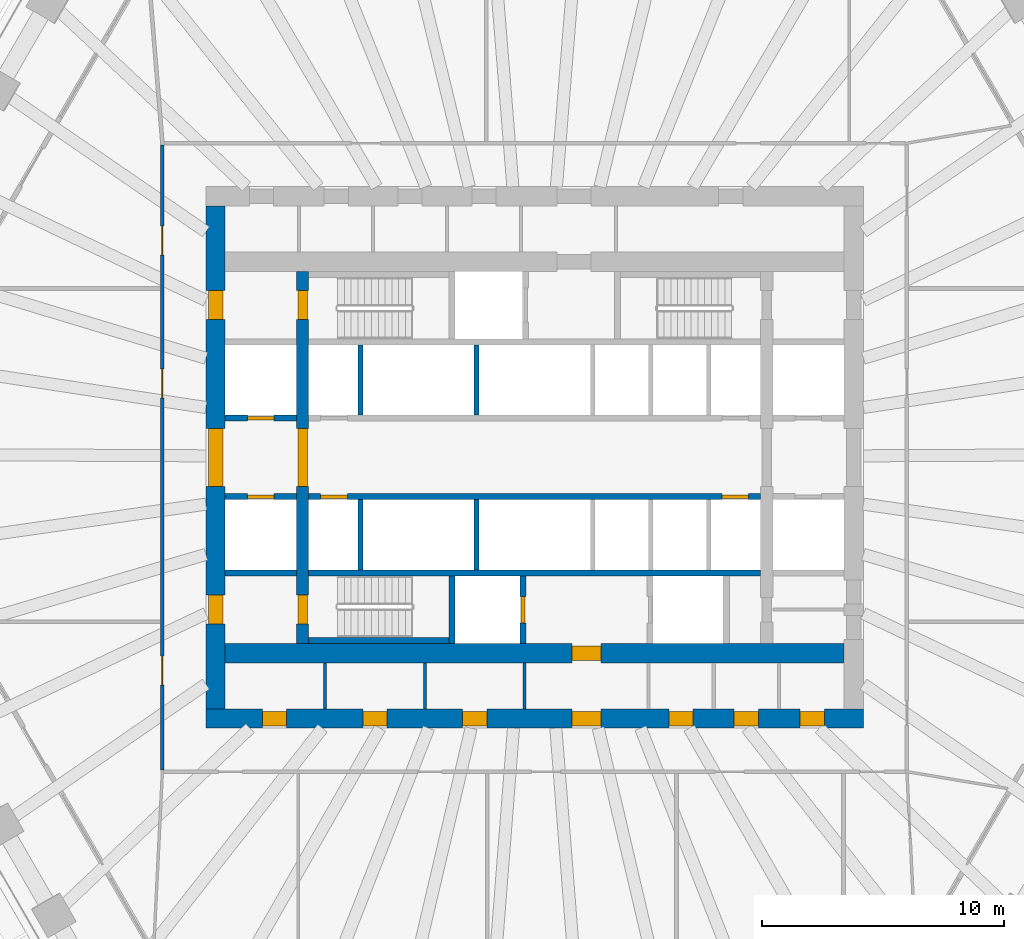
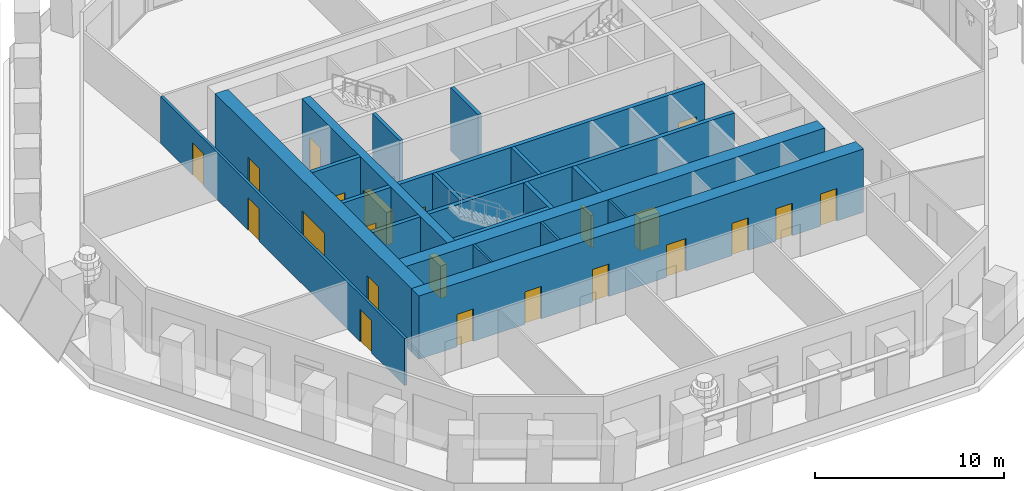
# One storey, part 4 of 12: 22 doors, 20 walls, 22 openings.
"""IFC4 building model written with IfcOpenShell, lengths in metres."""

import ifcopenshell
import ifcopenshell.guid

model = None  # the IFC model being written
_history = None  # IfcOwnerHistory: only IFC2X3 demands one
_inside = {}  # id of a spatial element -> (the spatial element, [elements in it])
_under = {}  # id of a project, library or spatial element -> (it, [spatial elements below it])
_declared = {}  # id of a project -> (the project, [libraries it declares])
_typed = {}  # id of a type object -> (the type object, [elements of that type])
_made_of = {}  # id of a material, layer set ... -> (it, [elements and type objects made of it])


def new_model(schema):
    """Start an empty IFC model of exactly this schema.

    Asked for "IFC4X3", IfcOpenShell would pick the latest addendum, in which some entities
    have other attributes; the version numbers below select the first issue.
    IFC2X3 requires an IfcOwnerHistory on every rooted entity: one is made here for all.
    """
    global model, _history
    if schema == "IFC4X3":
        model = ifcopenshell.file(schema_version=(4, 3, 0, 0))
    else:
        model = ifcopenshell.file(schema=schema)
    _inside.clear()
    _under.clear()
    _declared.clear()
    _typed.clear()
    _made_of.clear()
    _history = None
    if model.schema == "IFC2X3":
        org = make("IfcOrganization", Name="unknown")
        user = make(
            "IfcPersonAndOrganization",
            ThePerson=make("IfcPerson", FamilyName="unknown"),
            TheOrganization=org,
        )
        app = make(
            "IfcApplication",
            ApplicationDeveloper=org,
            Version="unknown",
            ApplicationFullName="unknown",
            ApplicationIdentifier="unknown",
        )
        _history = make(
            "IfcOwnerHistory",
            OwningUser=user,
            OwningApplication=app,
            ChangeAction="ADDED",
            CreationDate=0,
        )
    return model


def make(cls, **values):
    """One entity of the class cls with the attributes given. An attribute that is None is left unset."""
    return model.create_entity(
        cls, **{name: value for name, value in values.items() if value is not None}
    )


def rooted(cls, **values):
    """An entity with a GlobalId (a new one), such as an element, a storey or a relation."""
    return make(cls, GlobalId=ifcopenshell.guid.new(), OwnerHistory=_history, **values)


def si_unit(unit_type, name, prefix=None):
    """IfcSIUnit, for example si_unit("LENGTHUNIT", "METRE", prefix="MILLI")."""
    return make("IfcSIUnit", UnitType=unit_type, Prefix=prefix, Name=name)


def assignment(units):
    """IfcUnitAssignment: the units of a project."""
    return None if units is None else make("IfcUnitAssignment", Units=units)


def point(xyz):
    """IfcCartesianPoint."""
    return None if xyz is None else make("IfcCartesianPoint", Coordinates=xyz)


def direction(xyz):
    """IfcDirection."""
    return None if xyz is None else make("IfcDirection", DirectionRatios=xyz)


def frame(location, z_axis=None, x_axis=None):
    """IfcAxis2Placement3D, a coordinate frame: its origin and axes. An axis left out is left unset."""
    return make(
        "IfcAxis2Placement3D",
        Location=point(location),
        Axis=direction(z_axis),
        RefDirection=direction(x_axis),
    )


def frame_2d(location, x_axis=None):
    """IfcAxis2Placement2D, a coordinate frame in the plane: its origin and x axis."""
    return make(
        "IfcAxis2Placement2D", Location=point(location), RefDirection=direction(x_axis)
    )


def origin():
    """The frame at (0, 0, 0) with its axes left unset."""
    return frame((0.0, 0.0, 0.0))


def place(relative_to, where):
    """IfcLocalPlacement: puts the frame where relative to a parent placement (None: the world)."""
    return make(
        "IfcLocalPlacement", PlacementRelTo=relative_to, RelativePlacement=where
    )


def context(
    kind, dimensions, precision=None, world=None, true_north=None, identifier=None
):
    """IfcGeometricRepresentationContext, for example the 3D "Model" context."""
    return make(
        "IfcGeometricRepresentationContext",
        ContextIdentifier=identifier,
        ContextType=kind,
        CoordinateSpaceDimension=dimensions,
        Precision=precision,
        WorldCoordinateSystem=world,
        TrueNorth=true_north,
    )


def subcontext(parent, identifier, kind, view, scale=None):
    """IfcGeometricRepresentationSubContext, for example "Body" below "Model"."""
    return make(
        "IfcGeometricRepresentationSubContext",
        ContextIdentifier=identifier,
        ContextType=kind,
        ParentContext=parent,
        TargetScale=scale,
        TargetView=view,
    )


def project(units=None, contexts=None):
    """IfcProject with its units and contexts."""
    return rooted(
        "IfcProject",
        Name="project",
        RepresentationContexts=contexts,
        UnitsInContext=assignment(units),
    )


def spatial(cls, under=None, at=None, **own):
    """A site, building, storey or space (cls), placed at a placement, below another one or the project."""
    s = rooted(cls, ObjectPlacement=at, **own)
    if under is not None:
        _under.setdefault(under.id(), (under, []))[1].append(s)
    return s


def profile(cls, at=None, kind="AREA", **sizes):
    """A parametric profile (cls). Its sizes go by their IFC names, for example OverallWidth=200.0."""
    return make(cls, ProfileType=kind, Position=at, **sizes)


def rectangle(**sizes):
    """IfcRectangleProfileDef."""
    return profile("IfcRectangleProfileDef", **sizes)


def extrude(swept, where, along, depth):
    """IfcExtrudedAreaSolid: the profile swept, set in the frame where, extruded along a direction by depth."""
    return make(
        "IfcExtrudedAreaSolid",
        SweptArea=swept,
        Position=where,
        ExtrudedDirection=direction(along),
        Depth=depth,
    )


def shape(context_of_items, identifier, shape_type, items):
    """IfcShapeRepresentation: the items that make up one representation, for example the "Body"."""
    return make(
        "IfcShapeRepresentation",
        ContextOfItems=context_of_items,
        RepresentationIdentifier=identifier,
        RepresentationType=shape_type,
        Items=items,
    )


def material(Name=None, Category=None):
    """IfcMaterial."""
    return make("IfcMaterial", Name=Name, Category=Category)


def layer(
    of_material, thickness, ventilated=None, Name=None, Category=None, Priority=None
):
    """IfcMaterialLayer: one layer of a wall or slab, of a material (None: an air gap)."""
    return make(
        "IfcMaterialLayer",
        Material=of_material,
        LayerThickness=thickness,
        IsVentilated=ventilated,
        Name=Name,
        Category=Category,
        Priority=Priority,
    )


def layer_set(layers, Name=None):
    """IfcMaterialLayerSet."""
    return make("IfcMaterialLayerSet", MaterialLayers=layers, LayerSetName=Name)


def made_of(thing, what):
    """Note that an element or type object is made of a material, layer set ...; save() writes the relation."""
    if what is not None:
        _made_of.setdefault(what.id(), (what, []))[1].append(thing)
    return thing


def type_object(cls, material=None, **own):
    """A type object (cls), such as IfcWallType, which elements share."""
    return made_of(rooted(cls, **own), material)


def element(
    cls,
    number,
    at=None,
    inside=None,
    cuts=None,
    type_object=None,
    material=None,
    context=None,
    identifier="Body",
    shape_type=None,
    held_by="IfcProductDefinitionShape",
    body=None,
    shapes=None,
    **own,
):
    """One element of the class cls, such as IfcWall. Its Tag is "e" and its number.

    at: its placement. inside: the storey or other place that contains it. cuts: it is an
    opening in that element (IfcRelVoidsElement). A single representation is given by context,
    identifier, shape_type and body (its items); several are given by shapes. held_by: the class
    of the entity that holds the representations. save() writes the other relations.
    """
    e = rooted(cls, Tag="e%d" % number, ObjectPlacement=at, **own)
    if body is not None:
        shapes = [shape(context, identifier, shape_type, body)]
    if shapes is not None:
        e.Representation = make(held_by, Representations=shapes)
    if inside is not None:
        _inside.setdefault(inside.id(), (inside, []))[1].append(e)
    if cuts is not None:
        rooted(
            "IfcRelVoidsElement", RelatingBuildingElement=cuts, RelatedOpeningElement=e
        )
    if type_object is not None:
        _typed.setdefault(type_object.id(), (type_object, []))[1].append(e)
    return made_of(e, material)


def fill(opening, filler):
    """IfcRelFillsElement: the door or window that sits in an opening."""
    return rooted(
        "IfcRelFillsElement",
        RelatingOpeningElement=opening,
        RelatedBuildingElement=filler,
    )


def aggregate(whole, parts):
    """IfcRelAggregates: a whole, such as a stair, and the parts it consists of."""
    return rooted("IfcRelAggregates", RelatingObject=whole, RelatedObjects=parts)


def save(model, path):
    """Write the relations noted so far, then the file.

    IfcRelAggregates (storeys below a building ...), IfcRelContainedInSpatialStructure (elements
    in a storey), IfcRelDefinesByType, IfcRelAssociatesMaterial and IfcRelDeclares: one each for
    every whole, place, type object, material and project.
    """
    for whole, parts in _under.values():
        aggregate(whole, parts)
    for where, things in _inside.values():
        rooted(
            "IfcRelContainedInSpatialStructure",
            RelatedElements=things,
            RelatingStructure=where,
        )
    for kind, things in _typed.values():
        rooted("IfcRelDefinesByType", RelatedObjects=things, RelatingType=kind)
    for what, things in _made_of.values():
        rooted("IfcRelAssociatesMaterial", RelatedObjects=things, RelatingMaterial=what)
    for by, libraries in _declared.values():
        rooted("IfcRelDeclares", RelatingContext=by, RelatedDefinitions=libraries)
    model.write(path)


model = new_model("IFC4")

# Units and contexts
model_context = context("Model", 3, precision=1e-05, world=origin(), true_north=direction((0.0, 1.0)))
body_context = subcontext(model_context, "Body", "Model", "MODEL_VIEW")
ifc_project = project(units=[si_unit("LENGTHUNIT", "METRE"), si_unit("AREAUNIT", "SQUARE_METRE"), si_unit("VOLUMEUNIT", "CUBIC_METRE"), si_unit("PLANEANGLEUNIT", "RADIAN"), si_unit("MASSUNIT", "GRAM", prefix="KILO")], contexts=[model_context])

# Site, building, storey
site_placement = place(None, origin())
site = spatial("IfcSite", under=ifc_project, at=site_placement, CompositionType="ELEMENT")
building_placement = place(site_placement, origin())
building = spatial("IfcBuilding", under=site, at=building_placement, Name="Frailejon Research Tower", CompositionType="ELEMENT")
storey_placement = place(building_placement, frame((0.0, 0.0, 85.199951171875)))
storey = spatial("IfcBuildingStorey", under=building, at=storey_placement, Name="L18", CompositionType="ELEMENT", Elevation=85.199951171875)

# Walls
ifc_material_1 = material(Name="Plasterboard on steel studs", Category="steel")
ifc_layer_1 = layer(ifc_material_1, 0.125)
ifc_layer_set_1 = layer_set([ifc_layer_1], Name="Core partition 125")
wall_type_1 = type_object("IfcWallType", Name="Core partition 125", PredefinedType="PARTITIONING", material=ifc_layer_set_1)
for number, where, z_axis, x_axis, name in (
    (1, (-8.6708984375, -10.39990234375, 0.0), (0.0, 0.0, 1.0), (0.0, 1.0, 0.0), "Core partition"),
    (2, (-4.541748046875, -10.39990234375, 0.0), (0.0, 0.0, 1.0), (0.0, 1.0, 0.0), "Core partition"),
    (3, (-0.41259765625, -10.39990234375, 0.0), (0.0, 0.0, 1.0), (0.0, 1.0, 0.0), "Core partition"),
):
    element("IfcWall", number, at=place(storey_placement, frame(where, z_axis=z_axis, x_axis=x_axis)), inside=storey, type_object=wall_type_1, Name=name, PredefinedType="PARTITIONING", context=body_context, shape_type="SweptSolid", body=[
        extrude(rectangle(XDim=1.89990234375, YDim=0.125, at=frame_2d((0.949951171875, 0.0))), origin(), (0.0, 0.0, 1.0), 4.10009765625),
    ])

# Wall, openings, doors
ifc_material_2 = material(Name="Concrete C70/85", Category="concrete")
ifc_layer_2 = layer(ifc_material_2, 0.5)
ifc_layer_set_2 = layer_set([ifc_layer_2], Name="Core shear wall 500 C70/85")
wall_type_2 = type_object("IfcWallType", Name="Core shear wall 500 C70/85", PredefinedType="SHEAR", material=ifc_layer_set_2)
wall_1_placement = place(storey_placement, frame((-9.60009765625, -7.699951171875, 0.0), z_axis=(0.0, 0.0, 1.0), x_axis=(0.0, 1.0, 0.0)))
wall_1 = element("IfcWall", 4, at=wall_1_placement, inside=storey, type_object=wall_type_2, Name="Core shear wall", PredefinedType="SHEAR", context=body_context, shape_type="SweptSolid", body=[
    extrude(rectangle(XDim=15.39990234375, YDim=0.5, at=frame_2d((7.699951171875, 0.0))), origin(), (0.0, 0.0, 1.0), 4.10009765625),
])
opening_1_placement = place(wall_1_placement, frame((6.5, 0.0, 0.0)))
opening_1 = element("IfcOpeningElement", 5, at=opening_1_placement, cuts=wall_1, Name="Opening D2", PredefinedType="OPENING", context=body_context, shape_type="SweptSolid", body=[
    extrude(rectangle(XDim=2.39990234375, YDim=2.10009765625, at=frame_2d((1.199951171875, 1.050048828125))), frame((0.0, 0.260009765625, 0.0), z_axis=(0.0, -1.0, 0.0), x_axis=(1.0, 0.0, 0.0)), (0.0, 0.0, 1.0), 0.52001953125),
])
opening_2_placement = place(wall_1_placement, frame((13.39990234375, 0.0, 0.0)))
opening_2 = element("IfcOpeningElement", 6, at=opening_2_placement, cuts=wall_1, Name="Opening D1", PredefinedType="OPENING", context=body_context, shape_type="SweptSolid", body=[
    extrude(rectangle(XDim=1.199951171875, YDim=2.10009765625, at=frame_2d((0.60009765625, 1.050048828125))), frame((0.0, 0.260009765625, 0.0), z_axis=(0.0, -1.0, 0.0), x_axis=(1.0, 0.0, 0.0)), (0.0, 0.0, 1.0), 0.52001953125),
])
opening_3_placement = place(wall_1_placement, frame((0.800048828125, 0.0, 0.0)))
opening_3 = element("IfcOpeningElement", 7, at=opening_3_placement, cuts=wall_1, Name="Opening D1", PredefinedType="OPENING", context=body_context, shape_type="SweptSolid", body=[
    extrude(rectangle(XDim=1.199951171875, YDim=2.10009765625, at=frame_2d((0.60009765625, 1.050048828125))), frame((0.0, 0.260009765625, 0.0), z_axis=(0.0, -1.0, 0.0), x_axis=(1.0, 0.0, 0.0)), (0.0, 0.0, 1.0), 0.52001953125),
])
ifc_material_3 = material(Name="Steel", Category="steel")
door_type_1 = type_object("IfcDoorType", Name="Lobby double door", OperationType="DOUBLE_DOOR_SINGLE_SWING", PredefinedType="DOOR", material=ifc_material_3)
door_1_placement = place(opening_1_placement, origin())
door_1 = element("IfcDoor", 8, at=door_1_placement, inside=storey, type_object=door_type_1, Name="Lobby door", OperationType="DOUBLE_DOOR_SINGLE_SWING", OverallHeight=2.10009765625, OverallWidth=2.39990234375, PredefinedType="DOOR", context=body_context, shape_type="SweptSolid", body=[
    extrude(rectangle(XDim=2.39990234375, YDim=2.10009765625, at=frame_2d((1.199951171875, 1.050048828125))), frame((0.0, 0.199951171875, 0.0), z_axis=(0.0, -1.0, 0.0), x_axis=(1.0, 0.0, 0.0)), (0.0, 0.0, 1.0), 0.39990234375),
])
fill(opening_1, door_1)
ifc_material_4 = material(Name="Steel", Category="steel")
door_type_2 = type_object("IfcDoorType", Name="Stair door", OperationType="SINGLE_SWING_LEFT", PredefinedType="DOOR", material=ifc_material_4)
door_2_placement = place(opening_2_placement, origin())
door_2 = element("IfcDoor", 9, at=door_2_placement, inside=storey, type_object=door_type_2, Name="Stair door ST1", OperationType="SINGLE_SWING_LEFT", OverallHeight=2.10009765625, OverallWidth=1.199951171875, PredefinedType="DOOR", context=body_context, shape_type="SweptSolid", body=[
    extrude(rectangle(XDim=1.199951171875, YDim=2.10009765625, at=frame_2d((0.60009765625, 1.050048828125))), frame((0.0, 0.199951171875, 0.0), z_axis=(0.0, -1.0, 0.0), x_axis=(1.0, 0.0, 0.0)), (0.0, 0.0, 1.0), 0.39990234375),
])
fill(opening_2, door_2)
door_3_placement = place(opening_3_placement, origin())
door_3 = element("IfcDoor", 10, at=door_3_placement, inside=storey, type_object=door_type_2, Name="Stair door ST2", OperationType="SINGLE_SWING_LEFT", OverallHeight=2.10009765625, OverallWidth=1.199951171875, PredefinedType="DOOR", context=body_context, shape_type="SweptSolid", body=[
    extrude(rectangle(XDim=1.199951171875, YDim=2.10009765625, at=frame_2d((0.60009765625, 1.050048828125))), frame((0.0, 0.199951171875, 0.0), z_axis=(0.0, -1.0, 0.0), x_axis=(1.0, 0.0, 0.0)), (0.0, 0.0, 1.0), 0.39990234375),
])
fill(opening_3, door_3)

ifc_material_5 = material(Name="Concrete C70/85", Category="concrete")
ifc_layer_3 = layer(ifc_material_5, 0.800048828125)
ifc_layer_set_3 = layer_set([ifc_layer_3], Name="Core shear wall 800 C70/85")
wall_type_3 = type_object("IfcWallType", Name="Core shear wall 800 C70/85", PredefinedType="SHEAR", material=ifc_layer_set_3)
wall_2_placement = place(storey_placement, frame((-13.60009765625, -10.800048828125, 0.0), z_axis=(0.0, 0.0, 1.0), x_axis=(1.0, 0.0, 0.0)))
wall_2 = element("IfcWall", 11, at=wall_2_placement, inside=storey, type_object=wall_type_3, Name="Core shear wall", PredefinedType="SHEAR", context=body_context, shape_type="SweptSolid", body=[
    extrude(rectangle(XDim=27.2001953125, YDim=0.800048828125, at=frame_2d((13.60009765625, 0.0))), origin(), (0.0, 0.0, 1.0), 4.10009765625),
])
opening_4_placement = place(wall_2_placement, frame((2.333251953125, 0.0, 0.0)))
opening_4 = element("IfcOpeningElement", 12, at=opening_4_placement, cuts=wall_2, Name="Opening D4", PredefinedType="OPENING", context=body_context, shape_type="SweptSolid", body=[
    extrude(rectangle(XDim=1.0, YDim=2.10009765625, at=frame_2d((0.5, 1.050048828125))), frame((0.0, 0.409912109375, 0.0), z_axis=(0.0, -1.0, 0.0), x_axis=(1.0, 0.0, 0.0)), (0.0, 0.0, 1.0), 0.820068359375),
])
opening_5_placement = place(wall_2_placement, frame((6.493896484375, 0.0, 0.0)))
opening_5 = element("IfcOpeningElement", 13, at=opening_5_placement, cuts=wall_2, Name="Opening D4", PredefinedType="OPENING", context=body_context, shape_type="SweptSolid", body=[
    extrude(rectangle(XDim=1.0, YDim=2.10009765625, at=frame_2d((0.5, 1.050048828125))), frame((0.0, 0.409912109375, 0.0), z_axis=(0.0, -1.0, 0.0), x_axis=(1.0, 0.0, 0.0)), (0.0, 0.0, 1.0), 0.820068359375),
])
opening_6_placement = place(wall_2_placement, frame((10.622802734375, 0.0, 0.0)))
opening_6 = element("IfcOpeningElement", 14, at=opening_6_placement, cuts=wall_2, Name="Opening D4", PredefinedType="OPENING", context=body_context, shape_type="SweptSolid", body=[
    extrude(rectangle(XDim=1.0, YDim=2.10009765625, at=frame_2d((0.5, 1.050048828125))), frame((0.0, 0.409912109375, 0.0), z_axis=(0.0, -1.0, 0.0), x_axis=(1.0, 0.0, 0.0)), (0.0, 0.0, 1.0), 0.820068359375),
])
opening_7_placement = place(wall_2_placement, frame((19.160400390625, 0.0, 0.0)))
opening_7 = element("IfcOpeningElement", 15, at=opening_7_placement, cuts=wall_2, Name="Opening D4", PredefinedType="OPENING", context=body_context, shape_type="SweptSolid", body=[
    extrude(rectangle(XDim=1.0, YDim=2.10009765625, at=frame_2d((0.5, 1.050048828125))), frame((0.0, 0.409912109375, 0.0), z_axis=(0.0, -1.0, 0.0), x_axis=(1.0, 0.0, 0.0)), (0.0, 0.0, 1.0), 0.820068359375),
])
opening_8_placement = place(wall_2_placement, frame((21.856201171875, 0.0, 0.0)))
opening_8 = element("IfcOpeningElement", 16, at=opening_8_placement, cuts=wall_2, Name="Opening D4", PredefinedType="OPENING", context=body_context, shape_type="SweptSolid", body=[
    extrude(rectangle(XDim=1.0, YDim=2.10009765625, at=frame_2d((0.5, 1.050048828125))), frame((0.0, 0.409912109375, 0.0), z_axis=(0.0, -1.0, 0.0), x_axis=(1.0, 0.0, 0.0)), (0.0, 0.0, 1.0), 0.820068359375),
])
opening_9_placement = place(wall_2_placement, frame((24.583251953125, 0.0, 0.0)))
opening_9 = element("IfcOpeningElement", 17, at=opening_9_placement, cuts=wall_2, Name="Opening D4", PredefinedType="OPENING", context=body_context, shape_type="SweptSolid", body=[
    extrude(rectangle(XDim=1.0, YDim=2.10009765625, at=frame_2d((0.5, 1.050048828125))), frame((0.0, 0.409912109375, 0.0), z_axis=(0.0, -1.0, 0.0), x_axis=(1.0, 0.0, 0.0)), (0.0, 0.0, 1.0), 0.820068359375),
])
opening_10_placement = place(wall_2_placement, frame((15.14990234375, 0.0, 0.0)))
opening_10 = element("IfcOpeningElement", 18, at=opening_10_placement, cuts=wall_2, Name="Opening D3", PredefinedType="OPENING", context=body_context, shape_type="SweptSolid", body=[
    extrude(rectangle(XDim=1.199951171875, YDim=2.10009765625, at=frame_2d((0.60009765625, 1.050048828125))), frame((0.0, 0.409912109375, 0.0), z_axis=(0.0, -1.0, 0.0), x_axis=(1.0, 0.0, 0.0)), (0.0, 0.0, 1.0), 0.820068359375),
])
ifc_material_6 = material(Name="Steel", Category="steel")
door_type_3 = type_object("IfcDoorType", Name="Firefighting lobby door", OperationType="SINGLE_SWING_LEFT", PredefinedType="DOOR", material=ifc_material_6)
door_4_placement = place(opening_10_placement, origin())
door_4 = element("IfcDoor", 19, at=door_4_placement, inside=storey, type_object=door_type_3, Name="Passage door", OperationType="SINGLE_SWING_RIGHT", OverallHeight=2.10009765625, OverallWidth=1.199951171875, PredefinedType="DOOR", context=body_context, shape_type="SweptSolid", body=[
    extrude(rectangle(XDim=1.199951171875, YDim=2.10009765625, at=frame_2d((0.60009765625, 1.050048828125))), frame((0.0, 0.300048828125, 0.0), z_axis=(0.0, -1.0, 0.0), x_axis=(1.0, 0.0, 0.0)), (0.0, 0.0, 1.0), 0.60009765625),
])
fill(opening_10, door_4)
ifc_material_7 = material(Name="Steel", Category="steel")
door_type_4 = type_object("IfcDoorType", Name="Service door", OperationType="SINGLE_SWING_LEFT", PredefinedType="DOOR", material=ifc_material_7)
door_5_placement = place(opening_4_placement, origin())
door_5 = element("IfcDoor", 20, at=door_5_placement, inside=storey, type_object=door_type_4, Name="Room door", OperationType="SINGLE_SWING_RIGHT", OverallHeight=2.10009765625, OverallWidth=1.0, PredefinedType="DOOR", context=body_context, shape_type="SweptSolid", body=[
    extrude(rectangle(XDim=1.0, YDim=2.10009765625, at=frame_2d((0.5, 1.050048828125))), frame((0.0, 0.300048828125, 0.0), z_axis=(0.0, -1.0, 0.0), x_axis=(1.0, 0.0, 0.0)), (0.0, 0.0, 1.0), 0.60009765625),
])
fill(opening_4, door_5)
door_6_placement = place(opening_5_placement, origin())
door_6 = element("IfcDoor", 21, at=door_6_placement, inside=storey, type_object=door_type_4, Name="Room door", OperationType="SINGLE_SWING_LEFT", OverallHeight=2.10009765625, OverallWidth=1.0, PredefinedType="DOOR", context=body_context, shape_type="SweptSolid", body=[
    extrude(rectangle(XDim=1.0, YDim=2.10009765625, at=frame_2d((0.5, 1.050048828125))), frame((0.0, 0.300048828125, 0.0), z_axis=(0.0, -1.0, 0.0), x_axis=(1.0, 0.0, 0.0)), (0.0, 0.0, 1.0), 0.60009765625),
])
fill(opening_5, door_6)
door_7_placement = place(opening_6_placement, origin())
door_7 = element("IfcDoor", 22, at=door_7_placement, inside=storey, type_object=door_type_4, Name="Room door", OperationType="SINGLE_SWING_RIGHT", OverallHeight=2.10009765625, OverallWidth=1.0, PredefinedType="DOOR", context=body_context, shape_type="SweptSolid", body=[
    extrude(rectangle(XDim=1.0, YDim=2.10009765625, at=frame_2d((0.5, 1.050048828125))), frame((0.0, 0.300048828125, 0.0), z_axis=(0.0, -1.0, 0.0), x_axis=(1.0, 0.0, 0.0)), (0.0, 0.0, 1.0), 0.60009765625),
])
fill(opening_6, door_7)
door_8_placement = place(opening_7_placement, origin())
door_8 = element("IfcDoor", 23, at=door_8_placement, inside=storey, type_object=door_type_4, Name="Room door", OperationType="SINGLE_SWING_LEFT", OverallHeight=2.10009765625, OverallWidth=1.0, PredefinedType="DOOR", context=body_context, shape_type="SweptSolid", body=[
    extrude(rectangle(XDim=1.0, YDim=2.10009765625, at=frame_2d((0.5, 1.050048828125))), frame((0.0, 0.300048828125, 0.0), z_axis=(0.0, -1.0, 0.0), x_axis=(1.0, 0.0, 0.0)), (0.0, 0.0, 1.0), 0.60009765625),
])
fill(opening_7, door_8)
door_9_placement = place(opening_8_placement, origin())
door_9 = element("IfcDoor", 24, at=door_9_placement, inside=storey, type_object=door_type_4, Name="Room door", OperationType="SINGLE_SWING_RIGHT", OverallHeight=2.10009765625, OverallWidth=1.0, PredefinedType="DOOR", context=body_context, shape_type="SweptSolid", body=[
    extrude(rectangle(XDim=1.0, YDim=2.10009765625, at=frame_2d((0.5, 1.050048828125))), frame((0.0, 0.300048828125, 0.0), z_axis=(0.0, -1.0, 0.0), x_axis=(1.0, 0.0, 0.0)), (0.0, 0.0, 1.0), 0.60009765625),
])
fill(opening_8, door_9)
door_10_placement = place(opening_9_placement, origin())
door_10 = element("IfcDoor", 25, at=door_10_placement, inside=storey, type_object=door_type_4, Name="Room door", OperationType="SINGLE_SWING_LEFT", OverallHeight=2.10009765625, OverallWidth=1.0, PredefinedType="DOOR", context=body_context, shape_type="SweptSolid", body=[
    extrude(rectangle(XDim=1.0, YDim=2.10009765625, at=frame_2d((0.5, 1.050048828125))), frame((0.0, 0.300048828125, 0.0), z_axis=(0.0, -1.0, 0.0), x_axis=(1.0, 0.0, 0.0)), (0.0, 0.0, 1.0), 0.60009765625),
])
fill(opening_9, door_10)

wall_3_placement = place(storey_placement, frame((-13.199951171875, -10.39990234375, 0.0), z_axis=(0.0, 0.0, 1.0), x_axis=(0.0, 1.0, 0.0)))
wall_3 = element("IfcWall", 26, at=wall_3_placement, inside=storey, type_object=wall_type_3, Name="Core shear wall", PredefinedType="SHEAR", context=body_context, shape_type="SweptSolid", body=[
    extrude(rectangle(XDim=20.7998046875, YDim=0.800048828125, at=frame_2d((10.39990234375, 0.0))), origin(), (0.0, 0.0, 1.0), 4.10009765625),
])
opening_11_placement = place(wall_3_placement, frame((9.199951171875, 0.0, 0.0)))
opening_11 = element("IfcOpeningElement", 27, at=opening_11_placement, cuts=wall_3, Name="Opening D2", PredefinedType="OPENING", context=body_context, shape_type="SweptSolid", body=[
    extrude(rectangle(XDim=2.39990234375, YDim=2.10009765625, at=frame_2d((1.199951171875, 1.050048828125))), frame((0.0, 0.409912109375, 0.0), z_axis=(0.0, -1.0, 0.0), x_axis=(1.0, 0.0, 0.0)), (0.0, 0.0, 1.0), 0.820068359375),
])
opening_12_placement = place(wall_3_placement, frame((16.10009765625, 0.0, 0.0)))
opening_12 = element("IfcOpeningElement", 28, at=opening_12_placement, cuts=wall_3, Name="Opening D7", PredefinedType="OPENING", context=body_context, shape_type="SweptSolid", body=[
    extrude(rectangle(XDim=1.199951171875, YDim=2.10009765625, at=frame_2d((0.60009765625, 1.050048828125))), frame((0.0, 0.409912109375, 0.0), z_axis=(0.0, -1.0, 0.0), x_axis=(1.0, 0.0, 0.0)), (0.0, 0.0, 1.0), 0.820068359375),
])
opening_13_placement = place(wall_3_placement, frame((3.5, 0.0, 0.0)))
opening_13 = element("IfcOpeningElement", 29, at=opening_13_placement, cuts=wall_3, Name="Opening D7", PredefinedType="OPENING", context=body_context, shape_type="SweptSolid", body=[
    extrude(rectangle(XDim=1.199951171875, YDim=2.10009765625, at=frame_2d((0.60009765625, 1.050048828125))), frame((0.0, 0.409912109375, 0.0), z_axis=(0.0, -1.0, 0.0), x_axis=(1.0, 0.0, 0.0)), (0.0, 0.0, 1.0), 0.820068359375),
])
door_11_placement = place(opening_11_placement, origin())
door_11 = element("IfcDoor", 30, at=door_11_placement, inside=storey, type_object=door_type_1, Name="Lobby door", OperationType="DOUBLE_DOOR_SINGLE_SWING", OverallHeight=2.10009765625, OverallWidth=2.39990234375, PredefinedType="DOOR", context=body_context, shape_type="SweptSolid", body=[
    extrude(rectangle(XDim=2.39990234375, YDim=2.10009765625, at=frame_2d((1.199951171875, 1.050048828125))), frame((0.0, 0.300048828125, 0.0), z_axis=(0.0, -1.0, 0.0), x_axis=(1.0, 0.0, 0.0)), (0.0, 0.0, 1.0), 0.60009765625),
])
fill(opening_11, door_11)
ifc_material_8 = material(Name="Steel", Category="steel")
door_type_5 = type_object("IfcDoorType", Name="Stair exit door", OperationType="SINGLE_SWING_LEFT", PredefinedType="DOOR", material=ifc_material_8)
door_12_placement = place(opening_12_placement, origin())
door_12 = element("IfcDoor", 31, at=door_12_placement, inside=storey, type_object=door_type_5, Name="Stair exit door ST1", OperationType="SINGLE_SWING_RIGHT", OverallHeight=2.10009765625, OverallWidth=1.199951171875, PredefinedType="DOOR", context=body_context, shape_type="SweptSolid", body=[
    extrude(rectangle(XDim=1.199951171875, YDim=2.10009765625, at=frame_2d((0.60009765625, 1.050048828125))), frame((0.0, 0.300048828125, 0.0), z_axis=(0.0, -1.0, 0.0), x_axis=(1.0, 0.0, 0.0)), (0.0, 0.0, 1.0), 0.60009765625),
])
fill(opening_12, door_12)
door_13_placement = place(opening_13_placement, origin())
door_13 = element("IfcDoor", 32, at=door_13_placement, inside=storey, type_object=door_type_5, Name="Stair exit door ST2", OperationType="SINGLE_SWING_RIGHT", OverallHeight=2.10009765625, OverallWidth=1.199951171875, PredefinedType="DOOR", context=body_context, shape_type="SweptSolid", body=[
    extrude(rectangle(XDim=1.199951171875, YDim=2.10009765625, at=frame_2d((0.60009765625, 1.050048828125))), frame((0.0, 0.300048828125, 0.0), z_axis=(0.0, -1.0, 0.0), x_axis=(1.0, 0.0, 0.0)), (0.0, 0.0, 1.0), 0.60009765625),
])
fill(opening_13, door_13)

# Wall, opening, door
wall_4_placement = place(storey_placement, frame((-12.800048828125, -8.10009765625, 0.0), z_axis=(0.0, 0.0, 1.0), x_axis=(1.0, 0.0, 0.0)))
wall_4 = element("IfcWall", 33, at=wall_4_placement, inside=storey, type_object=wall_type_3, Name="Core shear wall", PredefinedType="SHEAR", context=body_context, shape_type="SweptSolid", body=[
    extrude(rectangle(XDim=25.60009765625, YDim=0.800048828125, at=frame_2d((12.800048828125, 0.0))), origin(), (0.0, 0.0, 1.0), 4.10009765625),
])
opening_14_placement = place(wall_4_placement, frame((14.35009765625, 0.0, 0.0)))
opening_14 = element("IfcOpeningElement", 34, at=opening_14_placement, cuts=wall_4, Name="Opening D3", PredefinedType="OPENING", context=body_context, shape_type="SweptSolid", body=[
    extrude(rectangle(XDim=1.199951171875, YDim=2.10009765625, at=frame_2d((0.60009765625, 1.050048828125))), frame((0.0, 0.409912109375, 0.0), z_axis=(0.0, -1.0, 0.0), x_axis=(1.0, 0.0, 0.0)), (0.0, 0.0, 1.0), 0.820068359375),
])
door_14_placement = place(opening_14_placement, origin())
door_14 = element("IfcDoor", 35, at=door_14_placement, inside=storey, type_object=door_type_3, Name="Firefighting lobby door", OperationType="SINGLE_SWING_LEFT", OverallHeight=2.10009765625, OverallWidth=1.199951171875, PredefinedType="DOOR", context=body_context, shape_type="SweptSolid", body=[
    extrude(rectangle(XDim=1.199951171875, YDim=2.10009765625, at=frame_2d((0.60009765625, 1.050048828125))), frame((0.0, 0.300048828125, 0.0), z_axis=(0.0, -1.0, 0.0), x_axis=(1.0, 0.0, 0.0)), (0.0, 0.0, 1.0), 0.60009765625),
])
fill(opening_14, door_14)

# Wall, openings, doors
ifc_material_9 = material(Name="Gypsum board and masonry partition", Category="masonry")
ifc_layer_4 = layer(ifc_material_9, 0.14990234375)
ifc_layer_set_4 = layer_set([ifc_layer_4], Name="Corridor wall EI 60, gypsum on steel studs 150")
wall_type_4 = type_object("IfcWallType", Name="Corridor wall EI 60, gypsum on steel studs 150", PredefinedType="PARTITIONING", material=ifc_layer_set_4)
wall_5_placement = place(storey_placement, frame((-15.39990234375, -12.925048828125, 0.0), z_axis=(0.0, 0.0, 1.0), x_axis=(0.0, 1.0, 0.0)))
wall_5 = element("IfcWall", 36, at=wall_5_placement, inside=storey, type_object=wall_type_4, Name="T:IW:L18:003", PredefinedType="PARTITIONING", context=body_context, shape_type="SweptSolid", body=[
    extrude(rectangle(XDim=25.85009765625, YDim=0.14990234375, at=frame_2d((12.925048828125, 0.0))), origin(), (0.0, 0.0, 1.0), 3.050048828125),
])
opening_15_placement = place(wall_5_placement, frame((21.291748046875, 0.0, 0.0)))
opening_15 = element("IfcOpeningElement", 37, at=opening_15_placement, cuts=wall_5, Name="Opening D1503", PredefinedType="OPENING", context=body_context, shape_type="SweptSolid", body=[
    extrude(rectangle(XDim=1.199951171875, YDim=2.10009765625, at=frame_2d((0.60009765625, 1.050048828125))), frame((0.0, 0.0849609375, 0.0), z_axis=(0.0, -1.0, 0.0), x_axis=(1.0, 0.0, 0.0)), (0.0, 0.0, 1.0), 0.169921875),
])
opening_16_placement = place(wall_5_placement, frame((15.392822265625, 0.0, 0.0)))
opening_16 = element("IfcOpeningElement", 38, at=opening_16_placement, cuts=wall_5, Name="Opening D1504", PredefinedType="OPENING", context=body_context, shape_type="SweptSolid", body=[
    extrude(rectangle(XDim=1.199951171875, YDim=2.10009765625, at=frame_2d((0.60009765625, 1.050048828125))), frame((0.0, 0.0849609375, 0.0), z_axis=(0.0, -1.0, 0.0), x_axis=(1.0, 0.0, 0.0)), (0.0, 0.0, 1.0), 0.169921875),
])
opening_17_placement = place(wall_5_placement, frame((3.50341796875, 0.0, 0.0)))
opening_17 = element("IfcOpeningElement", 39, at=opening_17_placement, cuts=wall_5, Name="Opening D1505", PredefinedType="OPENING", context=body_context, shape_type="SweptSolid", body=[
    extrude(rectangle(XDim=1.199951171875, YDim=2.10009765625, at=frame_2d((0.60009765625, 1.050048828125))), frame((0.0, 0.0849609375, 0.0), z_axis=(0.0, -1.0, 0.0), x_axis=(1.0, 0.0, 0.0)), (0.0, 0.0, 1.0), 0.169921875),
])
ifc_material_10 = material(Name="Timber door leaf", Category="wood")
door_type_6 = type_object("IfcDoorType", Name="Door laboratory, timber, vision panel 1200", OperationType="NOTDEFINED", PredefinedType="DOOR", material=ifc_material_10)
door_15_placement = place(opening_15_placement, origin())
door_15 = element("IfcDoor", 40, at=door_15_placement, inside=storey, type_object=door_type_6, Name="D1503", OperationType="DOUBLE_DOOR_SINGLE_SWING", OverallHeight=2.10009765625, OverallWidth=1.199951171875, PredefinedType="DOOR", context=body_context, shape_type="SweptSolid", body=[
    extrude(rectangle(XDim=1.199951171875, YDim=2.10009765625, at=frame_2d((0.60009765625, 1.050048828125))), frame((0.0, 0.02490234375, 0.0), z_axis=(0.0, -1.0, 0.0), x_axis=(1.0, 0.0, 0.0)), (0.0, 0.0, 1.0), 0.050048828125),
])
fill(opening_15, door_15)
door_16_placement = place(opening_16_placement, origin())
door_16 = element("IfcDoor", 41, at=door_16_placement, inside=storey, type_object=door_type_6, Name="D1504", OperationType="DOUBLE_DOOR_SINGLE_SWING", OverallHeight=2.10009765625, OverallWidth=1.199951171875, PredefinedType="DOOR", context=body_context, shape_type="SweptSolid", body=[
    extrude(rectangle(XDim=1.199951171875, YDim=2.10009765625, at=frame_2d((0.60009765625, 1.050048828125))), frame((0.0, 0.02490234375, 0.0), z_axis=(0.0, -1.0, 0.0), x_axis=(1.0, 0.0, 0.0)), (0.0, 0.0, 1.0), 0.050048828125),
])
fill(opening_16, door_16)
ifc_material_11 = material(Name="Timber door leaf", Category="wood")
door_type_7 = type_object("IfcDoorType", Name="Door single leaf, timber, steel frame 1200", OperationType="NOTDEFINED", PredefinedType="DOOR", material=ifc_material_11)
door_17_placement = place(opening_17_placement, origin())
door_17 = element("IfcDoor", 42, at=door_17_placement, inside=storey, type_object=door_type_7, Name="D1505", OperationType="DOUBLE_DOOR_SINGLE_SWING", OverallHeight=2.10009765625, OverallWidth=1.199951171875, PredefinedType="DOOR", context=body_context, shape_type="SweptSolid", body=[
    extrude(rectangle(XDim=1.199951171875, YDim=2.10009765625, at=frame_2d((0.60009765625, 1.050048828125))), frame((0.0, 0.02490234375, 0.0), z_axis=(0.0, -1.0, 0.0), x_axis=(1.0, 0.0, 0.0)), (0.0, 0.0, 1.0), 0.050048828125),
])
fill(opening_17, door_17)

# Walls
ifc_material_12 = material(Name="Concrete C70/85", Category="concrete")
ifc_layer_5 = layer(ifc_material_12, 0.199951171875)
ifc_layer_set_5 = layer_set([ifc_layer_5], Name="Shaft wall 200 C70/85")
wall_type_5 = type_object("IfcWallType", Name="Shaft wall 200 C70/85", PredefinedType="SOLIDWALL", material=ifc_layer_set_5)
for number, where, z_axis, x_axis, name in (
    (43, (-7.199951171875, 1.75, 0.0), (0.0, 0.0, 1.0), (0.0, 1.0, 0.0), "Shaft wall"),
    (44, (-2.39990234375, 1.75, 0.0), (0.0, 0.0, 1.0), (0.0, 1.0, 0.0), "Shaft wall"),
    (45, (-7.199951171875, -4.64990234375, 0.0), (0.0, 0.0, 1.0), (0.0, 1.0, 0.0), "Shaft wall"),
    (46, (-2.39990234375, -4.64990234375, 0.0), (0.0, 0.0, 1.0), (0.0, 1.0, 0.0), "Shaft wall"),
):
    element("IfcWall", number, at=place(storey_placement, frame(where, z_axis=z_axis, x_axis=x_axis)), inside=storey, type_object=wall_type_5, Name=name, PredefinedType="SOLIDWALL", context=body_context, shape_type="SweptSolid", body=[
        extrude(rectangle(XDim=2.89990234375, YDim=0.199951171875, at=frame_2d((1.449951171875, 0.0))), origin(), (0.0, 0.0, 1.0), 4.10009765625),
    ])

# Wall, opening, door
ifc_material_13 = material(Name="Concrete C70/85", Category="concrete")
ifc_layer_6 = layer(ifc_material_13, 0.25)
ifc_layer_set_6 = layer_set([ifc_layer_6], Name="Shaft wall 250 C70/85")
wall_type_6 = type_object("IfcWallType", Name="Shaft wall 250 C70/85", PredefinedType="SOLIDWALL", material=ifc_layer_set_6)
wall_6_placement = place(storey_placement, frame((-12.800048828125, 1.625, 0.0), z_axis=(0.0, 0.0, 1.0), x_axis=(1.0, 0.0, 0.0)))
wall_6 = element("IfcWall", 47, at=wall_6_placement, inside=storey, type_object=wall_type_6, Name="Shaft wall", PredefinedType="SOLIDWALL", context=body_context, shape_type="SweptSolid", body=[
    extrude(rectangle(XDim=2.949951171875, YDim=0.25, at=frame_2d((1.47509765625, 0.0))), origin(), (0.0, 0.0, 1.0), 4.10009765625),
])
opening_18_placement = place(wall_6_placement, frame((0.925048828125, 0.0, 0.0)))
opening_18 = element("IfcOpeningElement", 48, at=opening_18_placement, cuts=wall_6, Name="Opening LD", PredefinedType="OPENING", context=body_context, shape_type="SweptSolid", body=[
    extrude(rectangle(XDim=1.10009765625, YDim=2.10009765625, at=frame_2d((0.550048828125, 1.050048828125))), frame((0.0, 0.135009765625, 0.0), z_axis=(0.0, -1.0, 0.0), x_axis=(1.0, 0.0, 0.0)), (0.0, 0.0, 1.0), 0.27001953125),
])
ifc_material_14 = material(Name="Steel", Category="steel")
door_type_8 = type_object("IfcDoorType", Name="Lift landing door", OperationType="DOUBLE_DOOR_SLIDING", PredefinedType="DOOR", material=ifc_material_14)
door_18_placement = place(opening_18_placement, origin())
door_18 = element("IfcDoor", 49, at=door_18_placement, inside=storey, type_object=door_type_8, Name="Lift landing door", OperationType="DOUBLE_DOOR_SLIDING", OverallHeight=2.10009765625, OverallWidth=1.10009765625, PredefinedType="DOOR", context=body_context, shape_type="SweptSolid", body=[
    extrude(rectangle(XDim=1.10009765625, YDim=2.10009765625, at=frame_2d((0.550048828125, 1.050048828125))), frame((0.0, 0.074951171875, 0.0), z_axis=(0.0, -1.0, 0.0), x_axis=(1.0, 0.0, 0.0)), (0.0, 0.0, 1.0), 0.14990234375),
])
fill(opening_18, door_18)

wall_7_placement = place(storey_placement, frame((-12.800048828125, -1.625, 0.0), z_axis=(0.0, 0.0, 1.0), x_axis=(1.0, 0.0, 0.0)))
wall_7 = element("IfcWall", 50, at=wall_7_placement, inside=storey, type_object=wall_type_6, Name="Shaft wall", PredefinedType="SOLIDWALL", context=body_context, shape_type="SweptSolid", body=[
    extrude(rectangle(XDim=2.949951171875, YDim=0.25, at=frame_2d((1.47509765625, 0.0))), origin(), (0.0, 0.0, 1.0), 4.10009765625),
])
opening_19_placement = place(wall_7_placement, frame((0.925048828125, 0.0, 0.0)))
opening_19 = element("IfcOpeningElement", 51, at=opening_19_placement, cuts=wall_7, Name="Opening LD", PredefinedType="OPENING", context=body_context, shape_type="SweptSolid", body=[
    extrude(rectangle(XDim=1.10009765625, YDim=2.10009765625, at=frame_2d((0.550048828125, 1.050048828125))), frame((0.0, 0.135009765625, 0.0), z_axis=(0.0, -1.0, 0.0), x_axis=(1.0, 0.0, 0.0)), (0.0, 0.0, 1.0), 0.27001953125),
])
door_19_placement = place(opening_19_placement, origin())
door_19 = element("IfcDoor", 52, at=door_19_placement, inside=storey, type_object=door_type_8, Name="Lift landing door", OperationType="DOUBLE_DOOR_SLIDING", OverallHeight=2.10009765625, OverallWidth=1.10009765625, PredefinedType="DOOR", context=body_context, shape_type="SweptSolid", body=[
    extrude(rectangle(XDim=1.10009765625, YDim=2.10009765625, at=frame_2d((0.550048828125, 1.050048828125))), frame((0.0, 0.074951171875, 0.0), z_axis=(0.0, -1.0, 0.0), x_axis=(1.0, 0.0, 0.0)), (0.0, 0.0, 1.0), 0.14990234375),
])
fill(opening_19, door_19)

# Wall, openings, doors
wall_8_placement = place(storey_placement, frame((-9.35009765625, -1.625, 0.0), z_axis=(0.0, 0.0, 1.0), x_axis=(1.0, 0.0, 0.0)))
wall_8 = element("IfcWall", 53, at=wall_8_placement, inside=storey, type_object=wall_type_6, Name="Shaft wall", PredefinedType="SOLIDWALL", context=body_context, shape_type="SweptSolid", body=[
    extrude(rectangle(XDim=18.7001953125, YDim=0.25, at=frame_2d((9.35009765625, 0.0))), origin(), (0.0, 0.0, 1.0), 4.10009765625),
])
opening_20_placement = place(wall_8_placement, frame((0.5, 0.0, 0.0)))
opening_20 = element("IfcOpeningElement", 54, at=opening_20_placement, cuts=wall_8, Name="Opening LD", PredefinedType="OPENING", context=body_context, shape_type="SweptSolid", body=[
    extrude(rectangle(XDim=1.10009765625, YDim=2.10009765625, at=frame_2d((0.550048828125, 1.050048828125))), frame((0.0, 0.135009765625, 0.0), z_axis=(0.0, -1.0, 0.0), x_axis=(1.0, 0.0, 0.0)), (0.0, 0.0, 1.0), 0.27001953125),
])
opening_21_placement = place(wall_8_placement, frame((17.10009765625, 0.0, 0.0)))
opening_21 = element("IfcOpeningElement", 55, at=opening_21_placement, cuts=wall_8, Name="Opening LD", PredefinedType="OPENING", context=body_context, shape_type="SweptSolid", body=[
    extrude(rectangle(XDim=1.10009765625, YDim=2.10009765625, at=frame_2d((0.550048828125, 1.050048828125))), frame((0.0, 0.135009765625, 0.0), z_axis=(0.0, -1.0, 0.0), x_axis=(1.0, 0.0, 0.0)), (0.0, 0.0, 1.0), 0.27001953125),
])
door_20_placement = place(opening_20_placement, origin())
door_20 = element("IfcDoor", 56, at=door_20_placement, inside=storey, type_object=door_type_8, Name="Lift landing door", OperationType="DOUBLE_DOOR_SLIDING", OverallHeight=2.10009765625, OverallWidth=1.10009765625, PredefinedType="DOOR", context=body_context, shape_type="SweptSolid", body=[
    extrude(rectangle(XDim=1.10009765625, YDim=2.10009765625, at=frame_2d((0.550048828125, 1.050048828125))), frame((0.0, 0.074951171875, 0.0), z_axis=(0.0, -1.0, 0.0), x_axis=(1.0, 0.0, 0.0)), (0.0, 0.0, 1.0), 0.14990234375),
])
fill(opening_20, door_20)
door_21_placement = place(opening_21_placement, origin())
door_21 = element("IfcDoor", 57, at=door_21_placement, inside=storey, type_object=door_type_8, Name="Lift landing door", OperationType="DOUBLE_DOOR_SLIDING", OverallHeight=2.10009765625, OverallWidth=1.10009765625, PredefinedType="DOOR", context=body_context, shape_type="SweptSolid", body=[
    extrude(rectangle(XDim=1.10009765625, YDim=2.10009765625, at=frame_2d((0.550048828125, 1.050048828125))), frame((0.0, 0.074951171875, 0.0), z_axis=(0.0, -1.0, 0.0), x_axis=(1.0, 0.0, 0.0)), (0.0, 0.0, 1.0), 0.14990234375),
])
fill(opening_21, door_21)

# Walls
wall_9_placement = place(storey_placement, frame((-12.800048828125, -4.77490234375, 0.0), z_axis=(0.0, 0.0, 1.0), x_axis=(1.0, 0.0, 0.0)))
element("IfcWall", 58, at=wall_9_placement, inside=storey, type_object=wall_type_6, Name="Shaft wall", PredefinedType="SOLIDWALL", context=body_context, shape_type="SweptSolid", body=[
    extrude(rectangle(XDim=2.949951171875, YDim=0.25, at=frame_2d((1.47509765625, 0.0))), origin(), (0.0, 0.0, 1.0), 4.10009765625),
])
wall_10_placement = place(storey_placement, frame((-9.35009765625, -4.77490234375, 0.0), z_axis=(0.0, 0.0, 1.0), x_axis=(1.0, 0.0, 0.0)))
element("IfcWall", 59, at=wall_10_placement, inside=storey, type_object=wall_type_6, Name="Shaft wall", PredefinedType="SOLIDWALL", context=body_context, shape_type="SweptSolid", body=[
    extrude(rectangle(XDim=18.7001953125, YDim=0.25, at=frame_2d((9.35009765625, 0.0))), origin(), (0.0, 0.0, 1.0), 4.10009765625),
])
wall_11_placement = place(storey_placement, frame((-9.35009765625, -7.574951171875, 0.0), z_axis=(0.0, 0.0, 1.0), x_axis=(1.0, 0.0, 0.0)))
element("IfcWall", 60, at=wall_11_placement, inside=storey, type_object=wall_type_6, Name="Shaft wall", PredefinedType="SOLIDWALL", context=body_context, shape_type="SweptSolid", body=[
    extrude(rectangle(XDim=5.800048828125, YDim=0.25, at=frame_2d((2.89990234375, 0.0))), origin(), (0.0, 0.0, 1.0), 4.10009765625),
])
wall_12_placement = place(storey_placement, frame((-3.425048828125, -7.699951171875, 0.0), z_axis=(0.0, 0.0, 1.0), x_axis=(0.0, 1.0, 0.0)))
element("IfcWall", 61, at=wall_12_placement, inside=storey, type_object=wall_type_6, Name="Shaft wall", PredefinedType="SOLIDWALL", context=body_context, shape_type="SweptSolid", body=[
    extrude(rectangle(XDim=2.800048828125, YDim=0.25, at=frame_2d((1.39990234375, 0.0))), origin(), (0.0, 0.0, 1.0), 4.10009765625),
])

# Wall, opening, door
wall_13_placement = place(storey_placement, frame((-0.47509765625, -7.699951171875, 0.0), z_axis=(0.0, 0.0, 1.0), x_axis=(0.0, 1.0, 0.0)))
wall_13 = element("IfcWall", 62, at=wall_13_placement, inside=storey, type_object=wall_type_6, Name="Shaft wall", PredefinedType="SOLIDWALL", context=body_context, shape_type="SweptSolid", body=[
    extrude(rectangle(XDim=2.800048828125, YDim=0.25, at=frame_2d((1.39990234375, 0.0))), origin(), (0.0, 0.0, 1.0), 4.10009765625),
])
opening_22_placement = place(wall_13_placement, frame((0.85009765625, 0.0, 0.0)))
opening_22 = element("IfcOpeningElement", 63, at=opening_22_placement, cuts=wall_13, Name="Opening LD", PredefinedType="OPENING", context=body_context, shape_type="SweptSolid", body=[
    extrude(rectangle(XDim=1.10009765625, YDim=2.10009765625, at=frame_2d((0.550048828125, 1.050048828125))), frame((0.0, 0.135009765625, 0.0), z_axis=(0.0, -1.0, 0.0), x_axis=(1.0, 0.0, 0.0)), (0.0, 0.0, 1.0), 0.27001953125),
])
door_22_placement = place(opening_22_placement, origin())
door_22 = element("IfcDoor", 64, at=door_22_placement, inside=storey, type_object=door_type_8, Name="Lift landing door", OperationType="DOUBLE_DOOR_SLIDING", OverallHeight=2.10009765625, OverallWidth=1.10009765625, PredefinedType="DOOR", context=body_context, shape_type="SweptSolid", body=[
    extrude(rectangle(XDim=1.10009765625, YDim=2.10009765625, at=frame_2d((0.550048828125, 1.050048828125))), frame((0.0, 0.074951171875, 0.0), z_axis=(0.0, -1.0, 0.0), x_axis=(1.0, 0.0, 0.0)), (0.0, 0.0, 1.0), 0.14990234375),
])
fill(opening_22, door_22)

save(model, "model.ifc")
